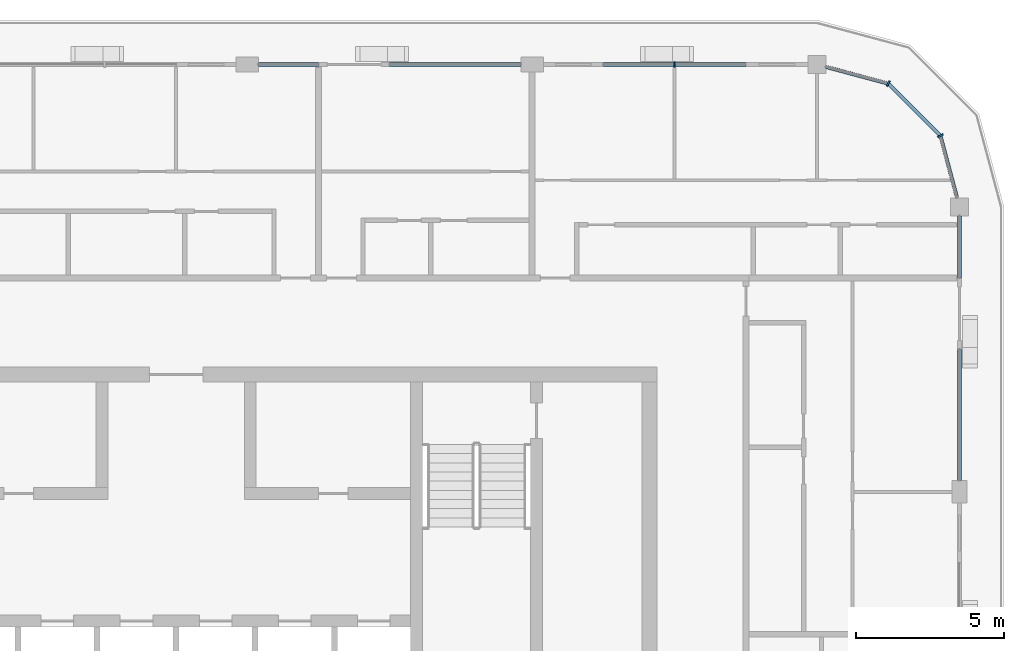
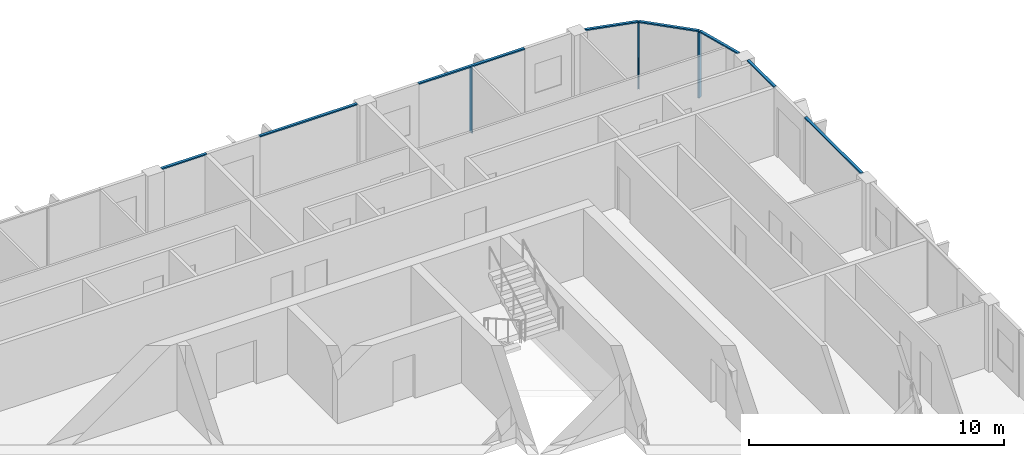
# One storey, part 6 of 21: 11 members, 4 elements without a shape of their own.
"""IFC4 building model written with IfcOpenShell, lengths in metres."""

from ifc_helpers import new_model, si_unit, direction, frame, origin, origin_2d, place, context, subcontext, project, spatial, rectangle, extrude, material, layer, layer_set, material_profile, profile_set, type_object, element, aggregate, save


model = new_model("IFC4")

# Units and contexts
model_context = context("Model", 3, precision=1e-05, world=origin(), true_north=direction((0.0, 1.0)))
body_context = subcontext(model_context, "Body", "Model", "MODEL_VIEW")
ifc_project = project(units=[si_unit("LENGTHUNIT", "METRE"), si_unit("AREAUNIT", "SQUARE_METRE"), si_unit("VOLUMEUNIT", "CUBIC_METRE"), si_unit("PLANEANGLEUNIT", "RADIAN"), si_unit("MASSUNIT", "GRAM", prefix="KILO")], contexts=[model_context])

# Site, building, storey
site_placement = place(None, origin())
site = spatial("IfcSite", under=ifc_project, at=site_placement, CompositionType="ELEMENT")
building_placement = place(site_placement, origin())
building = spatial("IfcBuilding", under=site, at=building_placement, Name="Madar Terraces", CompositionType="ELEMENT")
storey_placement = place(building_placement, frame((0.0, 0.0, 275.60009765625)))
storey = spatial("IfcBuildingStorey", under=building, at=storey_placement, Name="L72", CompositionType="ELEMENT", Elevation=275.60009765625)

# Curtain wall, member
ifc_material_1 = material(Name="Glass, ceramic frit dark grey, with black aluminium frame", Category="aluminium")
ifc_layer = layer(ifc_material_1, 0.199951171875)
ifc_layer_set = layer_set([ifc_layer], Name="Facade curtain wall, fritted glass")
curtain_wall_type = type_object("IfcCurtainWallType", Name="Facade curtain wall, fritted glass", PredefinedType="NOTDEFINED", material=ifc_layer_set)
curtain_wall_1_placement = place(storey_placement, origin())
curtain_wall_1 = element("IfcCurtainWall", 1, at=curtain_wall_1_placement, inside=storey, type_object=curtain_wall_type, Name="Outer skin curtain wall north bay 1", PredefinedType="NOTDEFINED")
ifc_material_2 = material(Name="Aluminium, black anodised", Category="aluminium")
ifc_material_profile_1 = material_profile(ifc_material_2, rectangle(XDim=0.199951171875, YDim=0.06005859375, at=origin_2d()), Name="Facade mullion 60x200")
ifc_profile_set_1 = profile_set([ifc_material_profile_1], Name="Aluminium, black anodised")
member_type_1 = type_object("IfcMemberType", Name="Facade mullion 60x200", PredefinedType="MULLION", material=ifc_profile_set_1)
member_1_placement = place(storey_placement, frame((48.0, 48.0, 0.0), z_axis=(0.0, 0.0, 1.0), x_axis=(0.0, -1.0, 0.0)))
member_1 = element("IfcMember", 2, at=member_1_placement, type_object=member_type_1, Name="Mullion 1", PredefinedType="MULLION", context=body_context, shape_type="SweptSolid", body=[
    extrude(rectangle(XDim=0.199951171875, YDim=0.06005859375, at=origin_2d()), origin(), (0.0, 0.0, 1.0), 3.139892578125),
])

# Curtain wall, members
curtain_wall_2_placement = place(storey_placement, origin())
curtain_wall_2 = element("IfcCurtainWall", 3, at=curtain_wall_2_placement, inside=storey, type_object=curtain_wall_type, Name="Outer skin curtain wall north-east corner", PredefinedType="NOTDEFINED")
member_2_placement = place(storey_placement, frame((56.95703125, 45.60009765625, 0.0), z_axis=(0.0, 0.0, 1.0), x_axis=(-0.866025409797, -0.499999989586, 0.0)))
member_2 = element("IfcMember", 4, at=member_2_placement, type_object=member_type_1, Name="Mullion 1", PredefinedType="MULLION", context=body_context, shape_type="SweptSolid", body=[
    extrude(rectangle(XDim=0.199951171875, YDim=0.06005859375, at=origin_2d()), origin(), (0.0, 0.0, 1.0), 3.139892578125),
])
member_3_placement = place(storey_placement, frame((55.199951171875, 47.35693359375, 0.0), z_axis=(0.0, 0.0, 1.0), x_axis=(-0.499999989586, -0.866025409797, 0.0)))
member_3 = element("IfcMember", 5, at=member_3_placement, type_object=member_type_1, Name="Mullion 2", PredefinedType="MULLION", context=body_context, shape_type="SweptSolid", body=[
    extrude(rectangle(XDim=0.199951171875, YDim=0.06005859375, at=origin_2d()), origin(), (0.0, 0.0, 1.0), 3.139892578125),
])

curtain_wall_3_placement = place(storey_placement, origin())
curtain_wall_3 = element("IfcCurtainWall", 6, at=curtain_wall_3_placement, inside=storey, type_object=curtain_wall_type, Name="Outer skin curtain wall east bay 4", PredefinedType="NOTDEFINED")
ifc_material_3 = material(Name="Aluminium, black anodised", Category="aluminium")
ifc_material_profile_2 = material_profile(ifc_material_3, rectangle(XDim=0.1201171875, YDim=0.06005859375, at=origin_2d()), Name="Facade transom 60x120")
ifc_profile_set_2 = profile_set([ifc_material_profile_2], Name="Aluminium, black anodised")
member_type_2 = type_object("IfcMemberType", Name="Facade transom 60x120", PredefinedType="USERDEFINED", material=ifc_profile_set_2)
member_4_placement = place(storey_placement, frame((57.60009765625, 33.97509765625, 3.169921875), z_axis=(0.0, 1.0, 0.0), x_axis=(-1.0, 0.0, 0.0)))
member_4 = element("IfcMember", 7, at=member_4_placement, type_object=member_type_2, Name="Transom 1", ObjectType="TRANSOM", PredefinedType="USERDEFINED", context=body_context, shape_type="SweptSolid", body=[
    extrude(rectangle(XDim=0.1201171875, YDim=0.06005859375, at=origin_2d()), origin(), (0.0, 0.0, 1.0), 4.4248046875),
])
member_5_placement = place(storey_placement, frame((57.60009765625, 40.800048828125, 3.169921875), z_axis=(0.0, 1.0, 0.0), x_axis=(-1.0, 0.0, 0.0)))
member_5 = element("IfcMember", 8, at=member_5_placement, type_object=member_type_2, Name="Transom 2", ObjectType="TRANSOM", PredefinedType="USERDEFINED", context=body_context, shape_type="SweptSolid", body=[
    extrude(rectangle(XDim=0.1201171875, YDim=0.06005859375, at=origin_2d()), origin(), (0.0, 0.0, 1.0), 2.099853515625),
])
aggregate(curtain_wall_3, [member_4, member_5])

# Member
member_6_placement = place(storey_placement, frame((50.39990234375, 48.0, 3.169921875), z_axis=(-1.0, 0.0, 0.0), x_axis=(0.0, -1.0, 0.0)))
member_6 = element("IfcMember", 9, at=member_6_placement, type_object=member_type_2, Name="Transom 1", ObjectType="TRANSOM", PredefinedType="USERDEFINED", context=body_context, shape_type="SweptSolid", body=[
    extrude(rectangle(XDim=0.1201171875, YDim=0.06005859375, at=origin_2d()), origin(), (0.0, 0.0, 1.0), 4.7998046875),
])

aggregate(curtain_wall_1, [member_1, member_6])

# Curtain wall, members
curtain_wall_4_placement = place(storey_placement, origin())
curtain_wall_4 = element("IfcCurtainWall", 10, at=curtain_wall_4_placement, inside=storey, type_object=curtain_wall_type, Name="Outer skin curtain wall north bay 2", PredefinedType="NOTDEFINED")
member_7_placement = place(storey_placement, frame((42.824951171875, 48.0, 3.169921875), z_axis=(-1.0, 0.0, 0.0), x_axis=(0.0, -1.0, 0.0)))
member_7 = element("IfcMember", 11, at=member_7_placement, type_object=member_type_2, Name="Transom 1", ObjectType="TRANSOM", PredefinedType="USERDEFINED", context=body_context, shape_type="SweptSolid", body=[
    extrude(rectangle(XDim=0.1201171875, YDim=0.06005859375, at=origin_2d()), origin(), (0.0, 0.0, 1.0), 4.425048828125),
])
member_8_placement = place(storey_placement, frame((36.0, 48.0, 3.169921875), z_axis=(-1.0, 0.0, 0.0), x_axis=(0.0, -1.0, 0.0)))
member_8 = element("IfcMember", 12, at=member_8_placement, type_object=member_type_2, Name="Transom 2", ObjectType="TRANSOM", PredefinedType="USERDEFINED", context=body_context, shape_type="SweptSolid", body=[
    extrude(rectangle(XDim=0.1201171875, YDim=0.06005859375, at=origin_2d()), origin(), (0.0, 0.0, 1.0), 2.02490234375),
])
aggregate(curtain_wall_4, [member_7, member_8])

# Member
member_9_placement = place(storey_placement, frame((57.51953125, 43.5, 3.169921875), z_axis=(-0.258817664066, 0.965926196336, 0.0), x_axis=(-0.965926196336, -0.258817664066, 0.0)))
member_9 = element("IfcMember", 13, at=member_9_placement, type_object=member_type_2, Name="Transom 1", ObjectType="TRANSOM", PredefinedType="USERDEFINED", context=body_context, shape_type="SweptSolid", body=[
    extrude(rectangle(XDim=0.1201171875, YDim=0.06005859375, at=origin_2d()), origin(), (0.0, 0.0, 1.0), 2.14404296875),
])

member_10_placement = place(storey_placement, frame((56.935791015625, 45.62109375, 3.169921875), z_axis=(-0.707106781187, 0.707106781187, 0.0), x_axis=(-0.707106781187, -0.707106781187, 0.0)))
member_10 = element("IfcMember", 14, at=member_10_placement, type_object=member_type_2, Name="Transom 2", ObjectType="TRANSOM", PredefinedType="USERDEFINED", context=body_context, shape_type="SweptSolid", body=[
    extrude(rectangle(XDim=0.1201171875, YDim=0.06005859375, at=origin_2d()), origin(), (0.0, 0.0, 1.0), 2.4248046875),
])

member_11_placement = place(storey_placement, frame((55.171142578125, 47.36474609375, 3.169921875), z_axis=(-0.965926196336, 0.258817664066, 0.0), x_axis=(-0.258817664066, -0.965926196336, 0.0)))
member_11 = element("IfcMember", 15, at=member_11_placement, type_object=member_type_2, Name="Transom 3", ObjectType="TRANSOM", PredefinedType="USERDEFINED", context=body_context, shape_type="SweptSolid", body=[
    extrude(rectangle(XDim=0.1201171875, YDim=0.06005859375, at=origin_2d()), origin(), (0.0, 0.0, 1.0), 2.14404296875),
])

aggregate(curtain_wall_2, [member_2, member_9, member_3, member_10, member_11])

save(model, "model.ifc")
